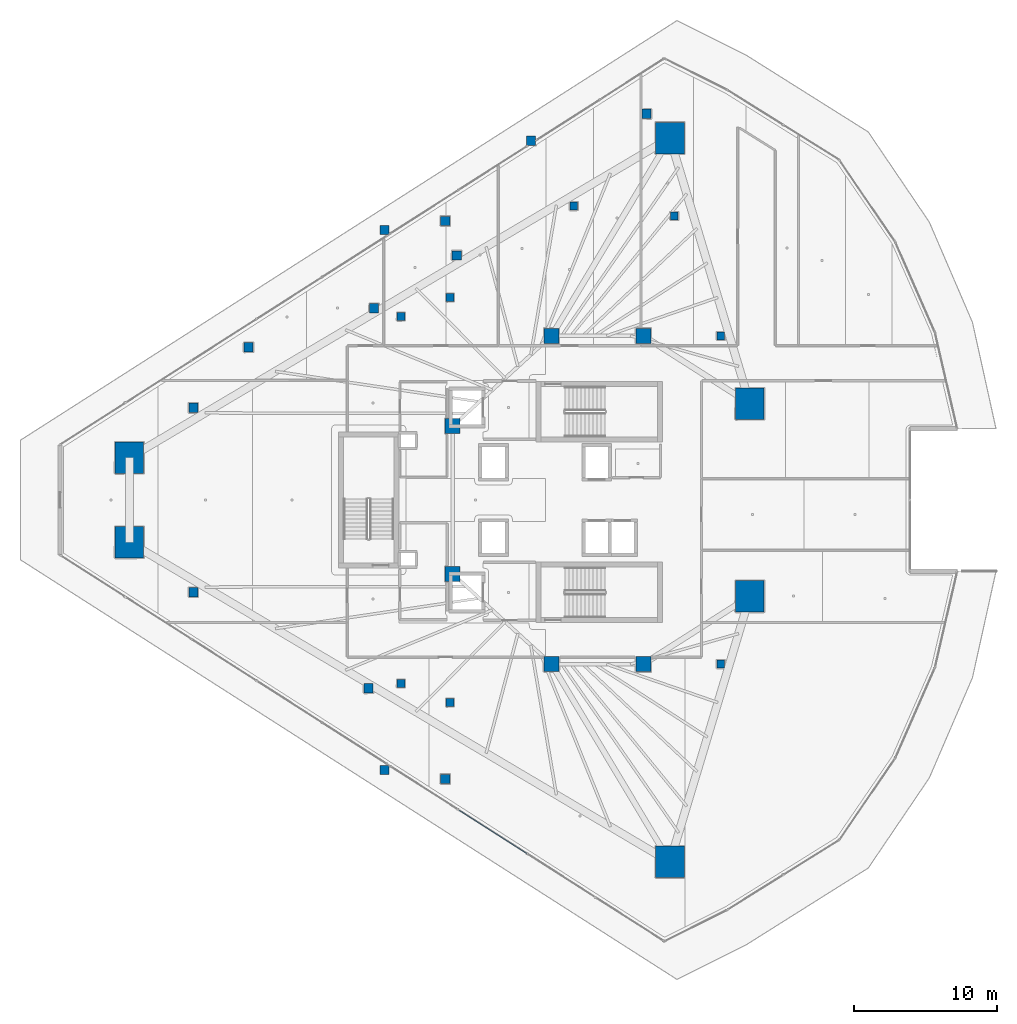
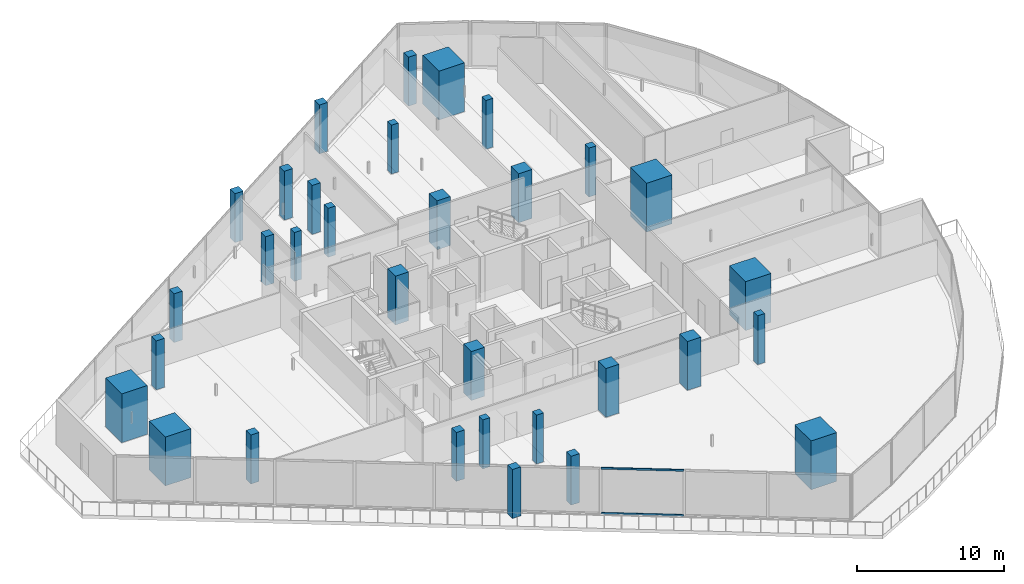
# One storey, part 1 of 35: 32 columns, 2 members, 1 element without a shape of its own.
"""IFC4 building model written with IfcOpenShell, lengths in metres."""

from ifc_helpers import new_model, si_unit, direction, frame, origin, origin_2d, place, context, subcontext, project, spatial, rectangle, hollow_rectangle, extrude, material, layer, layer_set, material_profile, profile_set, type_object, element, aggregate, save


model = new_model("IFC4")

# Units and contexts
model_context = context("Model", 3, precision=1e-05, world=origin(), true_north=direction((0.0, 1.0)))
body_context = subcontext(model_context, "Body", "Model", "MODEL_VIEW")
ifc_project = project(units=[si_unit("LENGTHUNIT", "METRE"), si_unit("AREAUNIT", "SQUARE_METRE"), si_unit("VOLUMEUNIT", "CUBIC_METRE"), si_unit("PLANEANGLEUNIT", "RADIAN"), si_unit("MASSUNIT", "GRAM", prefix="KILO")], contexts=[model_context])

# Site, building, storey
site_placement = place(None, origin())
site = spatial("IfcSite", under=ifc_project, at=site_placement, CompositionType="ELEMENT")
building_placement = place(site_placement, origin())
building = spatial("IfcBuilding", under=site, at=building_placement, Name="Qorvath Tower", CompositionType="ELEMENT")
storey_placement = place(building_placement, frame((0.0, 0.0, 130.050048828125)))
storey = spatial("IfcBuildingStorey", under=building, at=storey_placement, Name="L29", CompositionType="ELEMENT", Elevation=130.050048828125)

# Columns
ifc_material_1 = material(Name="Concrete C70/85", Category="concrete")
ifc_material_profile_1 = material_profile(ifc_material_1, rectangle(XDim=2.0, YDim=2.199951171875, at=origin_2d()), Name="MC 2200x2000")
ifc_profile_set_1 = profile_set([ifc_material_profile_1], Name="Concrete C70/85")
column_type_1 = type_object("IfcColumnType", Name="COL-MC2", PredefinedType="COLUMN", material=ifc_profile_set_1)
for number, where, z_axis, x_axis, name in (
    (1, (-53.04931640625, 2.95068359375, 0.0), (0.0, 0.0, 1.0), (1.0, 0.0, 0.0), "Composite Mega-Column MC1 L29"),
    (2, (-53.04931640625, -2.95068359375, 0.0), (0.0, 0.0, 1.0), (1.0, 0.0, 0.0), "Composite Mega-Column MC2 L29"),
    (3, (-15.34423828125, -25.24609375, 0.0), (0.0, 0.0, 1.0), (1.0, 0.0, 0.0), "Composite Mega-Column MC3 L29"),
    (4, (-9.770263671875, -6.721435546875, 0.0), (0.0, 0.0, 1.0), (1.0, 0.0, 0.0), "Composite Mega-Column MC4 L29"),
    (5, (-9.770263671875, 6.721435546875, 0.0), (0.0, 0.0, 1.0), (1.0, 0.0, 0.0), "Composite Mega-Column MC5 L29"),
    (6, (-15.34423828125, 25.24609375, 0.0), (0.0, 0.0, 1.0), (1.0, 0.0, 0.0), "Composite Mega-Column MC6 L29"),
):
    element("IfcColumn", number, at=place(storey_placement, frame(where, z_axis=z_axis, x_axis=x_axis)), inside=storey, type_object=column_type_1, Name=name, PredefinedType="COLUMN", context=body_context, shape_type="SweptSolid", body=[
        extrude(rectangle(XDim=2.0, YDim=2.199951171875, at=origin_2d()), origin(), (0.0, 0.0, 1.0), 4.050048828125),
    ])
ifc_material_2 = material(Name="Concrete C60/75", Category="concrete")
ifc_material_profile_2 = material_profile(ifc_material_2, rectangle(XDim=1.050048828125, YDim=1.050048828125, at=origin_2d()), Name="RC 1050x1050")
ifc_profile_set_2 = profile_set([ifc_material_profile_2], Name="Concrete C60/75")
column_type_2 = type_object("IfcColumnType", Name="COL-RC2", PredefinedType="COLUMN", material=ifc_profile_set_2)
for number, where, z_axis, x_axis, name in (
    (7, (-23.60009765625, 11.449951171875, 0.0), (0.0, 0.0, 1.0), (1.0, 0.0, 0.0), "Core Spine Column CC1 L29"),
    (8, (-17.199951171875, 11.449951171875, 0.0), (0.0, 0.0, 1.0), (1.0, 0.0, 0.0), "Core Spine Column CC2 L29"),
    (9, (-17.199951171875, -11.449951171875, 0.0), (0.0, 0.0, 1.0), (1.0, 0.0, 0.0), "Core Spine Column CC3 L29"),
    (10, (-23.60009765625, -11.449951171875, 0.0), (0.0, 0.0, 1.0), (1.0, 0.0, 0.0), "Core Spine Column CC4 L29"),
    (11, (-30.5, 5.14990234375, 0.0), (0.0, 0.0, 1.0), (1.0, 0.0, 0.0), "Core Spine Column CC5 L29"),
    (12, (-30.5, -5.14990234375, 0.0), (0.0, 0.0, 1.0), (1.0, 0.0, 0.0), "Core Spine Column CC6 L29"),
):
    element("IfcColumn", number, at=place(storey_placement, frame(where, z_axis=z_axis, x_axis=x_axis)), inside=storey, type_object=column_type_2, Name=name, PredefinedType="COLUMN", context=body_context, shape_type="SweptSolid", body=[
        extrude(rectangle(XDim=1.050048828125, YDim=1.050048828125, at=origin_2d()), origin(), (0.0, 0.0, 1.0), 4.050048828125),
    ])
ifc_material_3 = material(Name="Concrete C45/55", Category="concrete")
ifc_material_profile_3 = material_profile(ifc_material_3, rectangle(XDim=0.64990234375, YDim=0.64990234375, at=origin_2d()), Name="RC 650x650")
ifc_profile_set_3 = profile_set([ifc_material_profile_3], Name="Concrete C45/55")
column_type_3 = type_object("IfcColumnType", Name="COL-RC6", PredefinedType="COLUMN", material=ifc_profile_set_3)
for number, where, z_axis, x_axis, name in (
    (13, (-35.251708984375, 18.829345703125, 0.0), (0.0, 0.0, 1.0), (1.0, 0.0, 0.0), "Loggia Frame Pier Column LGC1 L29"),
    (14, (-35.251708984375, -18.829345703125, 0.0), (0.0, 0.0, 1.0), (1.0, 0.0, 0.0), "Loggia Frame Pier Column LGC2 L29"),
    (15, (-25.03759765625, 25.058837890625, 0.0), (0.0, 0.0, 1.0), (1.0, 0.0, 0.0), "Loggia Frame Pier Column LGC3 L29"),
    (16, (-31.01611328125, 19.46044921875, 0.0), (0.0, 0.0, 1.0), (1.0, 0.0, 0.0), "Loggia Frame Pier Column LGD1 L29"),
    (17, (-31.01611328125, -19.46044921875, 0.0), (0.0, 0.0, 1.0), (1.0, 0.0, 0.0), "Loggia Frame Pier Column LGD2 L29"),
    (18, (-44.736328125, 10.65234375, 0.0), (0.0, 0.0, 1.0), (1.0, 0.0, 0.0), "Loggia Frame Pier Column LGD3 L29"),
    (19, (-48.578369140625, 6.424560546875, 0.0), (0.0, 0.0, 1.0), (1.0, 0.0, 0.0), "Loggia Frame Pier Column LGE1 L29"),
    (20, (-48.578369140625, -6.424560546875, 0.0), (0.0, 0.0, 1.0), (1.0, 0.0, 0.0), "Loggia Frame Pier Column LGE2 L29"),
    (21, (-16.981201171875, 26.92919921875, 0.0), (0.0, 0.0, 1.0), (1.0, 0.0, 0.0), "Loggia Frame Pier Column LGE3 L29"),
    (22, (-35.980712890625, 13.380859375, 0.0), (0.0, 0.0, 1.0), (1.0, 0.0, 0.0), "Loggia Frame Pier Column LGF1 L29"),
    (23, (-36.36474609375, -13.135498046875, 0.0), (0.0, 0.0, 1.0), (1.0, 0.0, 0.0), "Loggia Frame Pier Column LGF2 L29"),
    (24, (-30.224853515625, 17.0595703125, 0.0), (0.0, 0.0, 1.0), (1.0, 0.0, 0.0), "Loggia Frame Pier Column LGF3 L29"),
):
    element("IfcColumn", number, at=place(storey_placement, frame(where, z_axis=z_axis, x_axis=x_axis)), inside=storey, type_object=column_type_3, Name=name, PredefinedType="COLUMN", context=body_context, shape_type="SweptSolid", body=[
        extrude(rectangle(XDim=0.64990234375, YDim=0.64990234375, at=origin_2d()), origin(), (0.0, 0.0, 1.0), 4.050048828125),
    ])
ifc_material_4 = material(Name="Concrete C45/55", Category="concrete")
ifc_material_profile_4 = material_profile(ifc_material_4, rectangle(XDim=0.550048828125, YDim=0.550048828125, at=origin_2d()), Name="RC 550x550")
ifc_profile_set_4 = profile_set([ifc_material_profile_4], Name="Concrete C45/55")
column_type_4 = type_object("IfcColumnType", Name="COL-RC7", PredefinedType="COLUMN", material=ifc_profile_set_4)
for number, where, z_axis, x_axis, name in (
    (25, (-34.104248046875, 12.79248046875, 0.0), (0.0, 0.0, 1.0), (1.0, 0.0, 0.0), "Loggia Frame Pier Column LGG1 L29"),
    (26, (-34.104248046875, -12.79248046875, 0.0), (0.0, 0.0, 1.0), (1.0, 0.0, 0.0), "Loggia Frame Pier Column LGG2 L29"),
    (27, (-22.05322265625, 20.494873046875, 0.0), (0.0, 0.0, 1.0), (1.0, 0.0, 0.0), "Loggia Frame Pier Column LGG3 L29"),
    (28, (-30.67724609375, 14.124267578125, 0.0), (0.0, 0.0, 1.0), (1.0, 0.0, 0.0), "Loggia Frame Pier Column LGH1 L29"),
    (29, (-30.67724609375, -14.124267578125, 0.0), (0.0, 0.0, 1.0), (1.0, 0.0, 0.0), "Loggia Frame Pier Column LGH2 L29"),
    (30, (-15.046142578125, 19.818115234375, 0.0), (0.0, 0.0, 1.0), (1.0, 0.0, 0.0), "Loggia Frame Pier Column LGH3 L29"),
    (31, (-11.800048828125, -11.449951171875, 0.0), (0.0, 0.0, 1.0), (1.0, 0.0, 0.0), "Central Slot Jamb Column SC1 L29"),
    (32, (-11.800048828125, 11.449951171875, 0.0), (0.0, 0.0, 1.0), (1.0, 0.0, 0.0), "Central Slot Jamb Column SC2 L29"),
):
    element("IfcColumn", number, at=place(storey_placement, frame(where, z_axis=z_axis, x_axis=x_axis)), inside=storey, type_object=column_type_4, Name=name, PredefinedType="COLUMN", context=body_context, shape_type="SweptSolid", body=[
        extrude(rectangle(XDim=0.550048828125, YDim=0.550048828125, at=origin_2d()), origin(), (0.0, 0.0, 1.0), 4.050048828125),
    ])

# Curtain wall, members
ifc_material_5 = material(Name="Anodised aluminium and triple low-E glass", Category="aluminium")
ifc_layer = layer(ifc_material_5, 0.179931640625)
ifc_layer_set = layer_set([ifc_layer], Name="CW-SYS-2")
curtain_wall_type = type_object("IfcCurtainWallType", Name="CW-SYS-2", PredefinedType="NOTDEFINED", material=ifc_layer_set)
curtain_wall_placement = place(storey_placement, origin())
curtain_wall = element("IfcCurtainWall", 33, at=curtain_wall_placement, inside=storey, type_object=curtain_wall_type, Name="Curtain Wall CW-2 CW-T-L29-2.2", PredefinedType="NOTDEFINED")
ifc_material_6 = material(Name="Anodised aluminium 6063-T6", Category="aluminium")
ifc_material_profile_5 = material_profile(ifc_material_6, hollow_rectangle(XDim=0.06494140625, YDim=0.159912109375, WallThickness=0.00341796875, InnerFilletRadius=0.00341796875, OuterFilletRadius=0.007080078125, at=origin_2d()), Name="CWT 160x65")
ifc_profile_set_5 = profile_set([ifc_material_profile_5], Name="Anodised aluminium 6063-T6")
member_type = type_object("IfcMemberType", Name="CWT-160", PredefinedType="USERDEFINED", material=ifc_profile_set_5)
member_1_placement = place(storey_placement, frame((-30.068115234375, -21.630126953125, 0.032470703125), z_axis=(0.842610769528, -0.538523064571, 0.0), x_axis=(0.538523064571, 0.842610769528, 0.0)))
member_1 = element("IfcMember", 34, at=member_1_placement, type_object=member_type, Name="CW-2 transom 2.1", ObjectType="TRANSOM", PredefinedType="USERDEFINED", context=body_context, shape_type="SweptSolid", body=[
    extrude(hollow_rectangle(XDim=0.06494140625, YDim=0.159912109375, WallThickness=0.00341796875, InnerFilletRadius=0.00341796875, OuterFilletRadius=0.007080078125, at=origin_2d()), origin(), (0.0, 0.0, 1.0), 5.615234375),
])
member_2_placement = place(storey_placement, frame((-30.068115234375, -21.630126953125, 3.74755859375), z_axis=(0.842610769528, -0.538523064571, 0.0), x_axis=(0.538523064571, 0.842610769528, 0.0)))
member_2 = element("IfcMember", 35, at=member_2_placement, type_object=member_type, Name="CW-2 transom 2.2", ObjectType="TRANSOM", PredefinedType="USERDEFINED", context=body_context, shape_type="SweptSolid", body=[
    extrude(hollow_rectangle(XDim=0.06494140625, YDim=0.159912109375, WallThickness=0.00341796875, InnerFilletRadius=0.00341796875, OuterFilletRadius=0.007080078125, at=origin_2d()), origin(), (0.0, 0.0, 1.0), 5.615234375),
])
aggregate(curtain_wall, [member_1, member_2])

save(model, "model.ifc")
